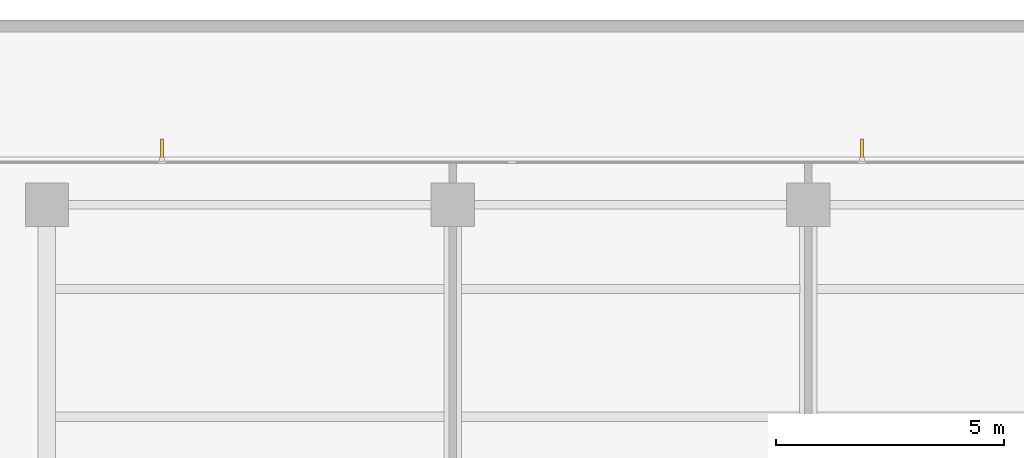
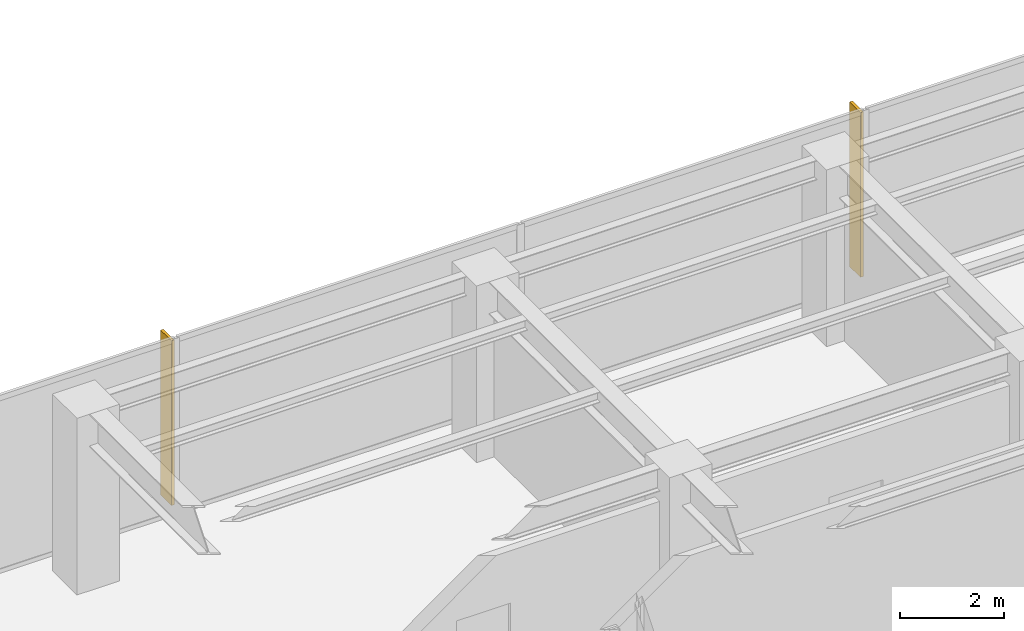
# One storey, part 14 of 14: 2 shading devices.
"""IFC4 building model written with IfcOpenShell, lengths in metres."""

from ifc_helpers import new_model, si_unit, direction, frame, origin, place, context, subcontext, project, spatial, polyline, outline, extrude, material, layer, layer_set, type_object, element, save


model = new_model("IFC4")

# Units and contexts
model_context = context("Model", 3, precision=1e-05, world=origin(), true_north=direction((0.0, 1.0)))
body_context = subcontext(model_context, "Body", "Model", "MODEL_VIEW")
ifc_project = project(units=[si_unit("LENGTHUNIT", "METRE"), si_unit("AREAUNIT", "SQUARE_METRE"), si_unit("VOLUMEUNIT", "CUBIC_METRE"), si_unit("PLANEANGLEUNIT", "RADIAN"), si_unit("MASSUNIT", "GRAM", prefix="KILO")], contexts=[model_context])

# Site, building, storey
site_placement = place(None, origin())
site = spatial("IfcSite", under=ifc_project, at=site_placement, CompositionType="ELEMENT")
building_placement = place(site_placement, origin())
building = spatial("IfcBuilding", under=site, at=building_placement, Name="Qalmaran Belvedere Hotel", CompositionType="ELEMENT")
storey_placement = place(building_placement, frame((0.0, 0.0, 192.5)))
storey = spatial("IfcBuildingStorey", under=building, at=storey_placement, Name="L48", CompositionType="ELEMENT", Elevation=192.5)

# Shading devices
ifc_material = material(Name="Anodised Bronze Aluminium", Category="aluminium")
ifc_layer = layer(ifc_material, 0.06494140625, Name="Anodised Bronze Aluminium")
ifc_layer_set = layer_set([ifc_layer], Name="Anodised Bronze Aluminium")
shading_device_type = type_object("IfcShadingDeviceType", Name="FIN-BRNZ-420", PredefinedType="USERDEFINED", material=ifc_layer_set)
shading_device_1_placement = place(storey_placement, frame((0.0, 0.0, 0.159912109375)))
element("IfcShadingDevice", 1, at=shading_device_1_placement, inside=storey, type_object=shading_device_type, Name="L48 Bronze Fin 1", ObjectType="FIN", PredefinedType="USERDEFINED", context=body_context, shape_type="SweptSolid", body=[
    extrude(outline(polyline([(38.20751953125, 41.467529296875), (38.20751953125, 41.887451171875), (38.142578125, 41.887451171875), (38.142578125, 41.467529296875), (38.20751953125, 41.467529296875)])), origin(), (0.0, 0.0, 1.0), 3.880126953125),
])
shading_device_2_placement = place(storey_placement, frame((0.0, 0.0, 0.159912109375)))
element("IfcShadingDevice", 2, at=shading_device_2_placement, inside=storey, type_object=shading_device_type, Name="L48 Bronze Fin 3", ObjectType="FIN", PredefinedType="USERDEFINED", context=body_context, shape_type="SweptSolid", body=[
    extrude(outline(polyline([(22.857421875, 41.467529296875), (22.857421875, 41.887451171875), (22.79248046875, 41.887451171875), (22.79248046875, 41.467529296875), (22.857421875, 41.467529296875)])), origin(), (0.0, 0.0, 1.0), 3.880126953125),
])

save(model, "model.ifc")
